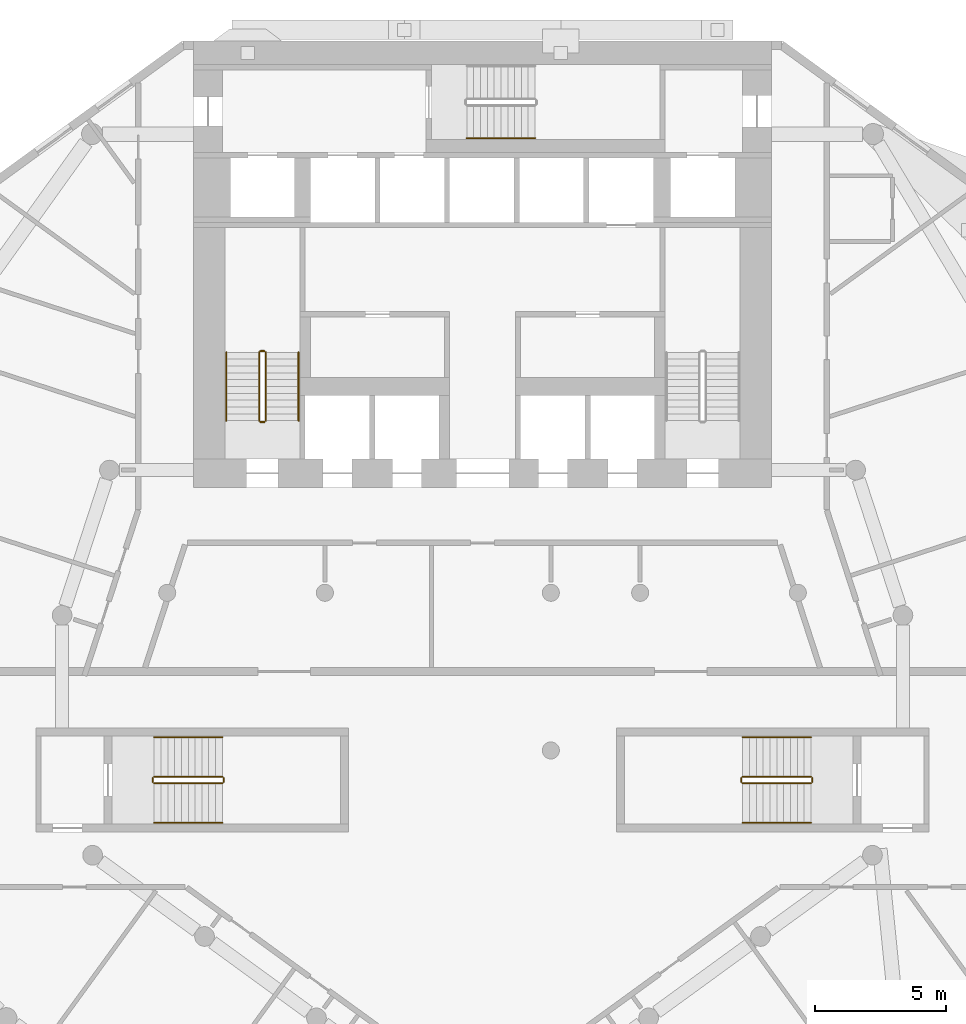
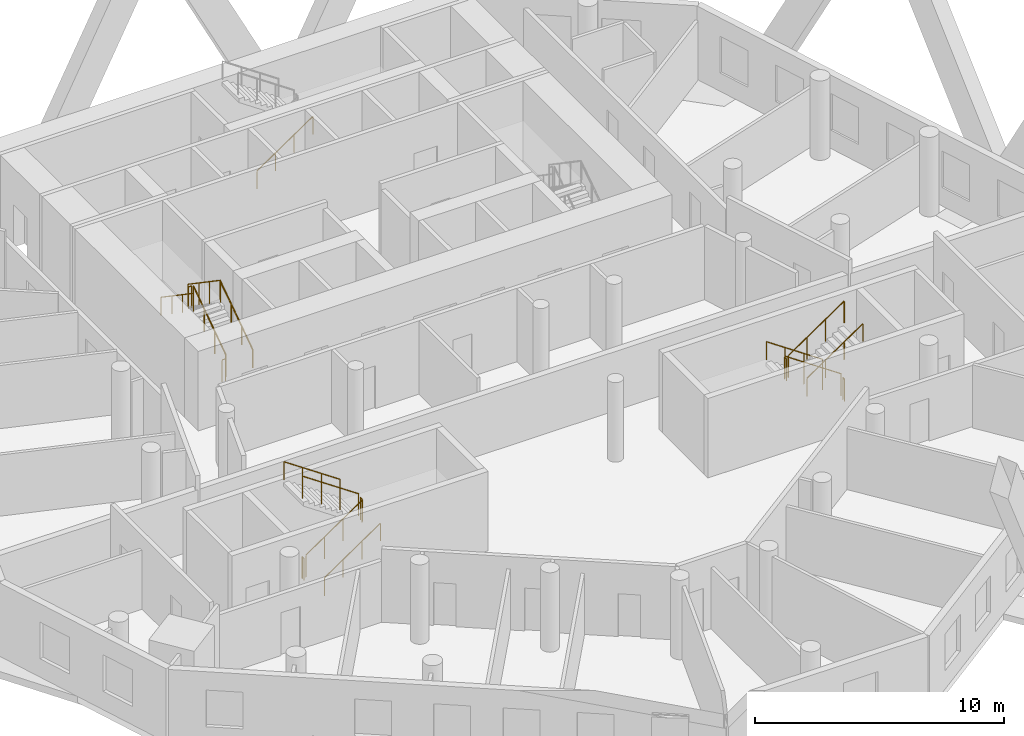
# One storey, part 9 of 10: 19 railings.
"""IFC4 building model written with IfcOpenShell, lengths in metres."""

from ifc_helpers import new_model, si_unit, direction, frame, origin, origin_2d, place, context, subcontext, project, spatial, circle, extrude, material, type_object, element, save


model = new_model("IFC4")

# Units and contexts
model_context = context("Model", 3, precision=1e-05, world=origin(), true_north=direction((0.0, 1.0)))
body_context = subcontext(model_context, "Body", "Model", "MODEL_VIEW")
ifc_project = project(units=[si_unit("LENGTHUNIT", "METRE"), si_unit("AREAUNIT", "SQUARE_METRE"), si_unit("VOLUMEUNIT", "CUBIC_METRE"), si_unit("PLANEANGLEUNIT", "RADIAN"), si_unit("MASSUNIT", "GRAM", prefix="KILO")], contexts=[model_context])

# Site, building, storey
site_placement = place(None, origin())
site = spatial("IfcSite", under=ifc_project, at=site_placement, CompositionType="ELEMENT")
building_placement = place(site_placement, origin())
building = spatial("IfcBuilding", under=site, at=building_placement, Name="White Candle Pilgrim Tower", CompositionType="ELEMENT")
storey_placement = place(building_placement, frame((0.0, 0.0, 102.5)))
storey = spatial("IfcBuildingStorey", under=building, at=storey_placement, Name="L22", CompositionType="ELEMENT", Elevation=102.5)

# Railings
ifc_material = material(Name="Stainless steel", Category="steel")
railing_type_1 = type_object("IfcRailingType", Name="Stair guard stainless steel 1100 mm", PredefinedType="GUARDRAIL", material=ifc_material)
railing_1_placement = place(storey_placement, frame((61.75, 73.550048828125, 0.17724609375)))
element("IfcRailing", 1, at=railing_1_placement, inside=storey, type_object=railing_type_1, Name="L22 ST1 stair guard 1", PredefinedType="GUARDRAIL", context=body_context, shape_type="SweptSolid", body=[
    extrude(circle(Radius=0.02392578125, at=origin_2d()), frame((0.0, 0.0, 1.076171875), z_axis=(0.0, 0.826215852431, 0.563353676824), x_axis=(-1.0, 0.0, 0.0)), (0.0, 0.0, 1.0), 3.146728515625),
    extrude(circle(Radius=0.02099609375, at=origin_2d()), origin(), (0.0, 0.0, 1.0), 1.052001953125),
    extrude(circle(Radius=0.02099609375, at=origin_2d()), frame((0.0, 0.86669921875, 0.5908203125)), (0.0, 0.0, 1.0), 1.052001953125),
    extrude(circle(Radius=0.02099609375, at=origin_2d()), frame((0.0, 1.733154296875, 1.181884765625)), (0.0, 0.0, 1.0), 1.052001953125),
    extrude(circle(Radius=0.02099609375, at=origin_2d()), frame((0.0, 2.599853515625, 1.772705078125)), (0.0, 0.0, 1.0), 1.052001953125),
])
railing_2_placement = place(storey_placement, frame((61.699951171875, 76.199951171875, 1.949951171875)))
element("IfcRailing", 2, at=railing_2_placement, inside=storey, type_object=railing_type_1, Name="L22 ST1 stair guard 2", PredefinedType="GUARDRAIL", context=body_context, shape_type="SweptSolid", body=[
    extrude(circle(Radius=0.02392578125, at=origin_2d()), frame((0.0, 0.0, 1.076171875), z_axis=(-1.0, 0.0, 0.0), x_axis=(0.0, -1.0, 0.0)), (0.0, 0.0, 1.0), 0.14990234375),
    extrude(circle(Radius=0.02099609375, at=origin_2d()), origin(), (0.0, 0.0, 1.0), 1.052001953125),
    extrude(circle(Radius=0.02099609375, at=origin_2d()), frame((-0.14990234375, 0.0, 0.0)), (0.0, 0.0, 1.0), 1.052001953125),
])
railing_3_placement = place(storey_placement, frame((61.5, 76.14990234375, 2.127197265625)))
element("IfcRailing", 3, at=railing_3_placement, inside=storey, type_object=railing_type_1, Name="L22 ST1 stair guard 3", PredefinedType="GUARDRAIL", context=body_context, shape_type="SweptSolid", body=[
    extrude(circle(Radius=0.02392578125, at=origin_2d()), frame((0.0, 0.0, 1.076171875), z_axis=(0.0, -0.826215852431, 0.563353676824), x_axis=(1.0, 0.0, 0.0)), (0.0, 0.0, 1.0), 3.146728515625),
    extrude(circle(Radius=0.02099609375, at=origin_2d()), origin(), (0.0, 0.0, 1.0), 1.052001953125),
    extrude(circle(Radius=0.02099609375, at=origin_2d()), frame((0.0, -0.86669921875, 0.5908203125)), (0.0, 0.0, 1.0), 1.052001953125),
    extrude(circle(Radius=0.02099609375, at=origin_2d()), frame((0.0, -1.733154296875, 1.181884765625)), (0.0, 0.0, 1.0), 1.052001953125),
    extrude(circle(Radius=0.02099609375, at=origin_2d()), frame((0.0, -2.599853515625, 1.772705078125)), (0.0, 0.0, 1.0), 1.052001953125),
])
railing_4_placement = place(storey_placement, frame((61.699951171875, 73.5, 0.0)))
element("IfcRailing", 4, at=railing_4_placement, inside=storey, type_object=railing_type_1, Name="L22 ST1 stair guard 4", PredefinedType="GUARDRAIL", context=body_context, shape_type="SweptSolid", body=[
    extrude(circle(Radius=0.02392578125, at=origin_2d()), frame((0.0, 0.0, 1.076171875), z_axis=(-1.0, 0.0, 0.0), x_axis=(0.0, -1.0, 0.0)), (0.0, 0.0, 1.0), 0.14990234375),
    extrude(circle(Radius=0.02099609375, at=origin_2d()), origin(), (0.0, 0.0, 1.0), 1.052001953125),
    extrude(circle(Radius=0.02099609375, at=origin_2d()), frame((-0.14990234375, 0.0, 0.0)), (0.0, 0.0, 1.0), 1.052001953125),
])
railing_5_placement = place(storey_placement, frame((82.5, 60.0, 0.17724609375)))
element("IfcRailing", 5, at=railing_5_placement, inside=storey, type_object=railing_type_1, Name="L22 ST4 stair guard 1", PredefinedType="GUARDRAIL", context=body_context, shape_type="SweptSolid", body=[
    extrude(circle(Radius=0.02392578125, at=origin_2d()), frame((0.0, 0.0, 1.076171875), z_axis=(-0.826240473404, 0.0, 0.563317565952), x_axis=(0.0, -1.0, 0.0)), (0.0, 0.0, 1.0), 3.14697265625),
    extrude(circle(Radius=0.02099609375, at=origin_2d()), origin(), (0.0, 0.0, 1.0), 1.052001953125),
    extrude(circle(Radius=0.02099609375, at=origin_2d()), frame((-0.86669921875, 0.0, 0.5908203125)), (0.0, 0.0, 1.0), 1.052001953125),
    extrude(circle(Radius=0.02099609375, at=origin_2d()), frame((-1.7333984375, 0.0, 1.181884765625)), (0.0, 0.0, 1.0), 1.052001953125),
    extrude(circle(Radius=0.02099609375, at=origin_2d()), frame((-2.60009765625, 0.0, 1.772705078125)), (0.0, 0.0, 1.0), 1.052001953125),
])
railing_6_placement = place(storey_placement, frame((79.85009765625, 59.949951171875, 1.949951171875)))
element("IfcRailing", 6, at=railing_6_placement, inside=storey, type_object=railing_type_1, Name="L22 ST4 stair guard 2", PredefinedType="GUARDRAIL", context=body_context, shape_type="SweptSolid", body=[
    extrude(circle(Radius=0.02392578125, at=origin_2d()), frame((0.0, 0.0, 1.076171875), z_axis=(0.0, -1.0, 0.0), x_axis=(1.0, 0.0, 0.0)), (0.0, 0.0, 1.0), 0.14990234375),
    extrude(circle(Radius=0.02099609375, at=origin_2d()), origin(), (0.0, 0.0, 1.0), 1.052001953125),
    extrude(circle(Radius=0.02099609375, at=origin_2d()), frame((0.0, -0.14990234375, 0.0)), (0.0, 0.0, 1.0), 1.052001953125),
])
railing_7_placement = place(storey_placement, frame((79.89990234375, 59.75, 2.127197265625)))
element("IfcRailing", 7, at=railing_7_placement, inside=storey, type_object=railing_type_1, Name="L22 ST4 stair guard 3", PredefinedType="GUARDRAIL", context=body_context, shape_type="SweptSolid", body=[
    extrude(circle(Radius=0.02392578125, at=origin_2d()), frame((0.0, 0.0, 1.076171875), z_axis=(0.826240473404, 0.0, 0.563317565952), x_axis=(0.0, 1.0, 0.0)), (0.0, 0.0, 1.0), 3.14697265625),
    extrude(circle(Radius=0.02099609375, at=origin_2d()), origin(), (0.0, 0.0, 1.0), 1.052001953125),
    extrude(circle(Radius=0.02099609375, at=origin_2d()), frame((0.86669921875, 0.0, 0.5908203125)), (0.0, 0.0, 1.0), 1.052001953125),
    extrude(circle(Radius=0.02099609375, at=origin_2d()), frame((1.7333984375, 0.0, 1.181884765625)), (0.0, 0.0, 1.0), 1.052001953125),
    extrude(circle(Radius=0.02099609375, at=origin_2d()), frame((2.60009765625, 0.0, 1.772705078125)), (0.0, 0.0, 1.0), 1.052001953125),
])
railing_8_placement = place(storey_placement, frame((82.550048828125, 59.949951171875, 0.0)))
element("IfcRailing", 8, at=railing_8_placement, inside=storey, type_object=railing_type_1, Name="L22 ST4 stair guard 4", PredefinedType="GUARDRAIL", context=body_context, shape_type="SweptSolid", body=[
    extrude(circle(Radius=0.02392578125, at=origin_2d()), frame((0.0, 0.0, 1.076171875), z_axis=(0.0, -1.0, 0.0), x_axis=(1.0, 0.0, 0.0)), (0.0, 0.0, 1.0), 0.14990234375),
    extrude(circle(Radius=0.02099609375, at=origin_2d()), origin(), (0.0, 0.0, 1.0), 1.052001953125),
    extrude(circle(Radius=0.02099609375, at=origin_2d()), frame((0.0, -0.14990234375, 0.0)), (0.0, 0.0, 1.0), 1.052001953125),
])
railing_9_placement = place(storey_placement, frame((57.5, 59.75, 0.17724609375)))
element("IfcRailing", 9, at=railing_9_placement, inside=storey, type_object=railing_type_1, Name="L22 ST5 stair guard 1", PredefinedType="GUARDRAIL", context=body_context, shape_type="SweptSolid", body=[
    extrude(circle(Radius=0.02392578125, at=origin_2d()), frame((0.0, 0.0, 1.076171875), z_axis=(0.826240473404, 0.0, 0.563317565952), x_axis=(0.0, 1.0, 0.0)), (0.0, 0.0, 1.0), 3.14697265625),
    extrude(circle(Radius=0.02099609375, at=origin_2d()), origin(), (0.0, 0.0, 1.0), 1.052001953125),
    extrude(circle(Radius=0.02099609375, at=origin_2d()), frame((0.86669921875, 0.0, 0.5908203125)), (0.0, 0.0, 1.0), 1.052001953125),
    extrude(circle(Radius=0.02099609375, at=origin_2d()), frame((1.7333984375, 0.0, 1.181884765625)), (0.0, 0.0, 1.0), 1.052001953125),
    extrude(circle(Radius=0.02099609375, at=origin_2d()), frame((2.60009765625, 0.0, 1.772705078125)), (0.0, 0.0, 1.0), 1.052001953125),
])
railing_10_placement = place(storey_placement, frame((60.14990234375, 59.800048828125, 1.949951171875)))
element("IfcRailing", 10, at=railing_10_placement, inside=storey, type_object=railing_type_1, Name="L22 ST5 stair guard 2", PredefinedType="GUARDRAIL", context=body_context, shape_type="SweptSolid", body=[
    extrude(circle(Radius=0.02392578125, at=origin_2d()), frame((0.0, 0.0, 1.076171875), z_axis=(0.0, 1.0, 0.0), x_axis=(-1.0, 0.0, 0.0)), (0.0, 0.0, 1.0), 0.14990234375),
    extrude(circle(Radius=0.02099609375, at=origin_2d()), origin(), (0.0, 0.0, 1.0), 1.052001953125),
    extrude(circle(Radius=0.02099609375, at=origin_2d()), frame((0.0, 0.14990234375, 0.0)), (0.0, 0.0, 1.0), 1.052001953125),
])
railing_11_placement = place(storey_placement, frame((60.10009765625, 60.0, 2.127197265625)))
element("IfcRailing", 11, at=railing_11_placement, inside=storey, type_object=railing_type_1, Name="L22 ST5 stair guard 3", PredefinedType="GUARDRAIL", context=body_context, shape_type="SweptSolid", body=[
    extrude(circle(Radius=0.02392578125, at=origin_2d()), frame((0.0, 0.0, 1.076171875), z_axis=(-0.826240473404, 0.0, 0.563317565952), x_axis=(0.0, -1.0, 0.0)), (0.0, 0.0, 1.0), 3.14697265625),
    extrude(circle(Radius=0.02099609375, at=origin_2d()), origin(), (0.0, 0.0, 1.0), 1.052001953125),
    extrude(circle(Radius=0.02099609375, at=origin_2d()), frame((-0.86669921875, 0.0, 0.5908203125)), (0.0, 0.0, 1.0), 1.052001953125),
    extrude(circle(Radius=0.02099609375, at=origin_2d()), frame((-1.7333984375, 0.0, 1.181884765625)), (0.0, 0.0, 1.0), 1.052001953125),
    extrude(circle(Radius=0.02099609375, at=origin_2d()), frame((-2.60009765625, 0.0, 1.772705078125)), (0.0, 0.0, 1.0), 1.052001953125),
])
railing_12_placement = place(storey_placement, frame((57.449951171875, 59.800048828125, 0.0)))
element("IfcRailing", 12, at=railing_12_placement, inside=storey, type_object=railing_type_1, Name="L22 ST5 stair guard 4", PredefinedType="GUARDRAIL", context=body_context, shape_type="SweptSolid", body=[
    extrude(circle(Radius=0.02392578125, at=origin_2d()), frame((0.0, 0.0, 1.076171875), z_axis=(0.0, 1.0, 0.0), x_axis=(-1.0, 0.0, 0.0)), (0.0, 0.0, 1.0), 0.14990234375),
    extrude(circle(Radius=0.02099609375, at=origin_2d()), origin(), (0.0, 0.0, 1.0), 1.052001953125),
    extrude(circle(Radius=0.02099609375, at=origin_2d()), frame((0.0, 0.14990234375, 0.0)), (0.0, 0.0, 1.0), 1.052001953125),
])
railing_type_2 = type_object("IfcRailingType", Name="Stair handrail stainless steel", PredefinedType="HANDRAIL", material=ifc_material)
railing_13_placement = place(storey_placement, frame((63.0, 73.550048828125, 0.17724609375)))
element("IfcRailing", 13, at=railing_13_placement, inside=storey, type_object=railing_type_2, Name="L22 ST1 stair handrail 1", PredefinedType="HANDRAIL", context=body_context, shape_type="SweptSolid", body=[
    extrude(circle(Radius=0.02392578125, at=origin_2d()), frame((0.0, 0.0, 0.8759765625), z_axis=(0.0, 0.826215852431, 0.563353676824), x_axis=(-1.0, 0.0, 0.0)), (0.0, 0.0, 1.0), 3.146728515625),
    extrude(circle(Radius=0.02099609375, at=origin_2d()), origin(), (0.0, 0.0, 1.0), 0.851806640625),
    extrude(circle(Radius=0.02099609375, at=origin_2d()), frame((0.0, 0.86669921875, 0.5908203125)), (0.0, 0.0, 1.0), 0.851806640625),
    extrude(circle(Radius=0.02099609375, at=origin_2d()), frame((0.0, 1.733154296875, 1.181884765625)), (0.0, 0.0, 1.0), 0.851806640625),
    extrude(circle(Radius=0.02099609375, at=origin_2d()), frame((0.0, 2.599853515625, 1.772705078125)), (0.0, 0.0, 1.0), 0.851806640625),
])
railing_14_placement = place(storey_placement, frame((60.25, 76.14990234375, 2.127197265625)))
element("IfcRailing", 14, at=railing_14_placement, inside=storey, type_object=railing_type_2, Name="L22 ST1 stair handrail 2", PredefinedType="HANDRAIL", context=body_context, shape_type="SweptSolid", body=[
    extrude(circle(Radius=0.02392578125, at=origin_2d()), frame((0.0, 0.0, 0.8759765625), z_axis=(0.0, -0.826215852431, 0.563353676824), x_axis=(1.0, 0.0, 0.0)), (0.0, 0.0, 1.0), 3.146728515625),
    extrude(circle(Radius=0.02099609375, at=origin_2d()), origin(), (0.0, 0.0, 1.0), 0.851806640625),
    extrude(circle(Radius=0.02099609375, at=origin_2d()), frame((0.0, -0.86669921875, 0.5908203125)), (0.0, 0.0, 1.0), 0.851806640625),
    extrude(circle(Radius=0.02099609375, at=origin_2d()), frame((0.0, -1.733154296875, 1.181884765625)), (0.0, 0.0, 1.0), 0.851806640625),
    extrude(circle(Radius=0.02099609375, at=origin_2d()), frame((0.0, -2.599853515625, 1.772705078125)), (0.0, 0.0, 1.0), 0.851806640625),
])
railing_15_placement = place(storey_placement, frame((69.39990234375, 84.300048828125, 0.17724609375)))
element("IfcRailing", 15, at=railing_15_placement, inside=storey, type_object=railing_type_2, Name="L22 ST3 stair handrail 1", PredefinedType="HANDRAIL", context=body_context, shape_type="SweptSolid", body=[
    extrude(circle(Radius=0.02392578125, at=origin_2d()), frame((0.0, 0.0, 0.8759765625), z_axis=(0.826240473404, 0.0, 0.563317565952), x_axis=(0.0, 1.0, 0.0)), (0.0, 0.0, 1.0), 3.14697265625),
    extrude(circle(Radius=0.02099609375, at=origin_2d()), origin(), (0.0, 0.0, 1.0), 0.851806640625),
    extrude(circle(Radius=0.02099609375, at=origin_2d()), frame((0.86669921875, 0.0, 0.5908203125)), (0.0, 0.0, 1.0), 0.851806640625),
    extrude(circle(Radius=0.02099609375, at=origin_2d()), frame((1.7333984375, 0.0, 1.181884765625)), (0.0, 0.0, 1.0), 0.851806640625),
    extrude(circle(Radius=0.02099609375, at=origin_2d()), frame((2.60009765625, 0.0, 1.772705078125)), (0.0, 0.0, 1.0), 0.851806640625),
])
railing_16_placement = place(storey_placement, frame((82.5, 61.5, 0.17724609375)))
element("IfcRailing", 16, at=railing_16_placement, inside=storey, type_object=railing_type_2, Name="L22 ST4 stair handrail 1", PredefinedType="HANDRAIL", context=body_context, shape_type="SweptSolid", body=[
    extrude(circle(Radius=0.02392578125, at=origin_2d()), frame((0.0, 0.0, 0.8759765625), z_axis=(-0.826240473404, 0.0, 0.563317565952), x_axis=(0.0, -1.0, 0.0)), (0.0, 0.0, 1.0), 3.14697265625),
    extrude(circle(Radius=0.02099609375, at=origin_2d()), origin(), (0.0, 0.0, 1.0), 0.851806640625),
    extrude(circle(Radius=0.02099609375, at=origin_2d()), frame((-0.86669921875, 0.0, 0.5908203125)), (0.0, 0.0, 1.0), 0.851806640625),
    extrude(circle(Radius=0.02099609375, at=origin_2d()), frame((-1.7333984375, 0.0, 1.181884765625)), (0.0, 0.0, 1.0), 0.851806640625),
    extrude(circle(Radius=0.02099609375, at=origin_2d()), frame((-2.60009765625, 0.0, 1.772705078125)), (0.0, 0.0, 1.0), 0.851806640625),
])
for number, where, name in (
    (17, (79.89990234375, 58.25, 2.127197265625), "L22 ST4 stair handrail 2"),
    (18, (57.5, 58.25, 0.17724609375), "L22 ST5 stair handrail 1"),
):
    element("IfcRailing", number, at=place(storey_placement, frame(where)), inside=storey, type_object=railing_type_2, Name=name, PredefinedType="HANDRAIL", context=body_context, shape_type="SweptSolid", body=[
        extrude(circle(Radius=0.02392578125, at=origin_2d()), frame((0.0, 0.0, 0.8759765625), z_axis=(0.826240473404, 0.0, 0.563317565952), x_axis=(0.0, 1.0, 0.0)), (0.0, 0.0, 1.0), 3.14697265625),
        extrude(circle(Radius=0.02099609375, at=origin_2d()), origin(), (0.0, 0.0, 1.0), 0.851806640625),
        extrude(circle(Radius=0.02099609375, at=origin_2d()), frame((0.86669921875, 0.0, 0.5908203125)), (0.0, 0.0, 1.0), 0.851806640625),
        extrude(circle(Radius=0.02099609375, at=origin_2d()), frame((1.7333984375, 0.0, 1.181884765625)), (0.0, 0.0, 1.0), 0.851806640625),
        extrude(circle(Radius=0.02099609375, at=origin_2d()), frame((2.60009765625, 0.0, 1.772705078125)), (0.0, 0.0, 1.0), 0.851806640625),
    ])
railing_17_placement = place(storey_placement, frame((60.10009765625, 61.5, 2.127197265625)))
element("IfcRailing", 19, at=railing_17_placement, inside=storey, type_object=railing_type_2, Name="L22 ST5 stair handrail 2", PredefinedType="HANDRAIL", context=body_context, shape_type="SweptSolid", body=[
    extrude(circle(Radius=0.02392578125, at=origin_2d()), frame((0.0, 0.0, 0.8759765625), z_axis=(-0.826240473404, 0.0, 0.563317565952), x_axis=(0.0, -1.0, 0.0)), (0.0, 0.0, 1.0), 3.14697265625),
    extrude(circle(Radius=0.02099609375, at=origin_2d()), origin(), (0.0, 0.0, 1.0), 0.851806640625),
    extrude(circle(Radius=0.02099609375, at=origin_2d()), frame((-0.86669921875, 0.0, 0.5908203125)), (0.0, 0.0, 1.0), 0.851806640625),
    extrude(circle(Radius=0.02099609375, at=origin_2d()), frame((-1.7333984375, 0.0, 1.181884765625)), (0.0, 0.0, 1.0), 0.851806640625),
    extrude(circle(Radius=0.02099609375, at=origin_2d()), frame((-2.60009765625, 0.0, 1.772705078125)), (0.0, 0.0, 1.0), 0.851806640625),
])

save(model, "model.ifc")
